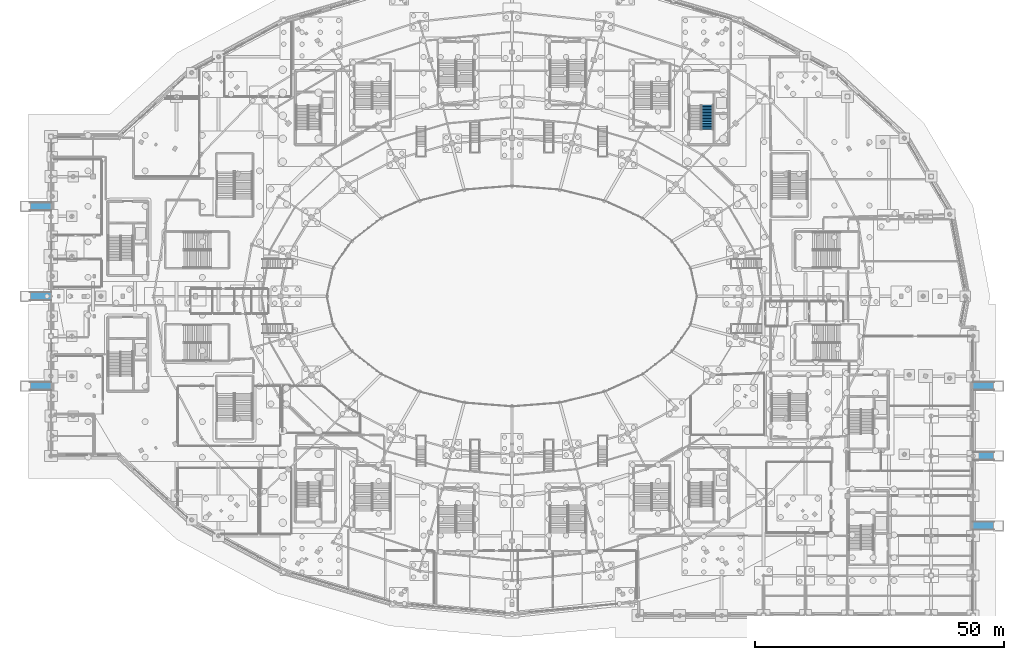
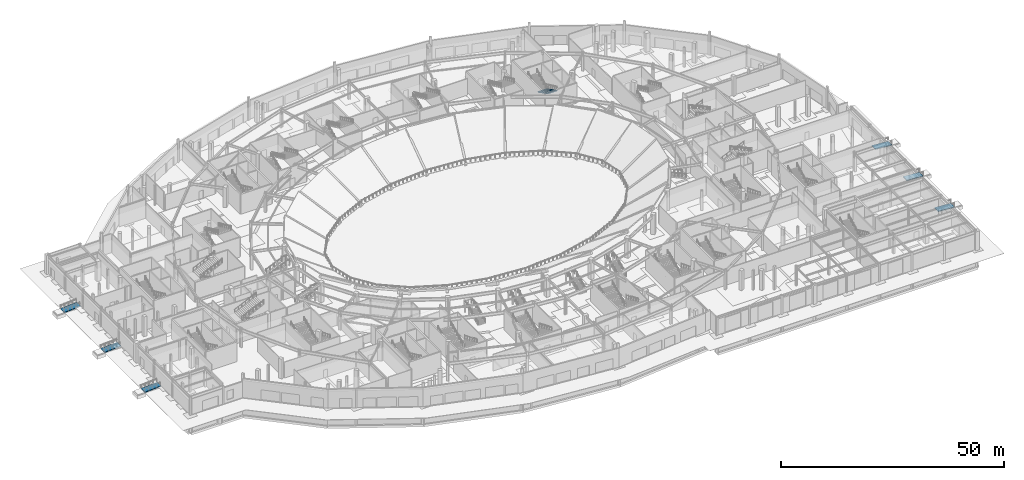
# One storey, part 68 of 93: 6 ramp flights, 1 stair flight, 7 elements without a shape of their own.
"""IFC4 building model written with IfcOpenShell, lengths in metres."""

from ifc_helpers import new_model, si_unit, direction, frame, origin, place, context, subcontext, project, spatial, polyline, outline, extrude, material, layer, layer_set, type_object, element, aggregate, save


model = new_model("IFC4")

# Units and contexts
model_context = context("Model", 3, precision=1e-05, world=origin(), true_north=direction((0.0, 1.0)))
body_context = subcontext(model_context, "Body", "Model", "MODEL_VIEW")
ifc_project = project(units=[si_unit("LENGTHUNIT", "METRE"), si_unit("AREAUNIT", "SQUARE_METRE"), si_unit("VOLUMEUNIT", "CUBIC_METRE"), si_unit("PLANEANGLEUNIT", "RADIAN"), si_unit("MASSUNIT", "GRAM", prefix="KILO")], contexts=[model_context])

# Site, building, storey
site_placement = place(None, origin())
site = spatial("IfcSite", under=ifc_project, at=site_placement, CompositionType="ELEMENT")
building_placement = place(site_placement, origin())
building = spatial("IfcBuilding", under=site, at=building_placement, Name="Kalgoora Escarpment Arena", CompositionType="ELEMENT")
storey_placement = place(building_placement, origin())
storey = spatial("IfcBuildingStorey", under=building, at=storey_placement, Name="L00", CompositionType="ELEMENT", Elevation=0.0)

# Stair, stair flight
ifc_material_1 = material(Name="Concrete N40 (fc' 40 MPa)", Category="concrete")
stair_type = type_object("IfcStairType", Name="STR-EXIT-4", PredefinedType="HALF_TURN_STAIR", material=ifc_material_1)
stair_placement = place(storey_placement, origin())
stair = element("IfcStair", 1, at=stair_placement, inside=storey, type_object=stair_type, Name="Fire-isolated exit stair ST04 (L00)", PredefinedType="HALF_TURN_STAIR")
ifc_material_2 = material(Name="Concrete N40 (fc' 40 MPa)", Category="concrete")
stair_flight_type = type_object("IfcStairFlightType", Name="FLT-EXIT-4", PredefinedType="STRAIGHT", material=ifc_material_2)
stair_flight_placement = place(storey_placement, frame((131.552490234375, 102.330078125, 0.0), z_axis=(0.0, 0.0, 1.0), x_axis=(0.0, -1.0, 0.0)))
stair_flight = element("IfcStairFlight", 2, at=stair_flight_placement, type_object=stair_flight_type, Name="ST04 L00 lower flight", NumberOfRisers=17, NumberOfTreads=16, PredefinedType="STRAIGHT", RiserHeight=0.158824, TreadLength=0.305, context=body_context, shape_type="SweptSolid", body=[
    extrude(outline(polyline([(0.0, 0.0), (0.0, 0.158935546875), (0.304931640625, 0.158935546875), (0.304931640625, 0.317626953125), (0.610107421875, 0.317626953125), (0.610107421875, 0.4765625), (0.9150390625, 0.4765625), (0.9150390625, 0.63525390625), (1.219970703125, 0.63525390625), (1.219970703125, 0.794189453125), (1.52490234375, 0.794189453125), (1.52490234375, 0.952880859375), (1.830078125, 0.952880859375), (1.830078125, 1.11181640625), (2.135009765625, 1.11181640625), (2.135009765625, 1.2705078125), (2.43994140625, 1.2705078125), (2.43994140625, 1.429443359375), (2.7451171875, 1.429443359375), (2.7451171875, 1.588134765625), (3.050048828125, 1.588134765625), (3.050048828125, 1.7470703125), (3.35498046875, 1.7470703125), (3.35498046875, 1.906005859375), (3.659912109375, 1.906005859375), (3.659912109375, 2.064697265625), (3.965087890625, 2.064697265625), (3.965087890625, 2.2236328125), (4.27001953125, 2.2236328125), (4.27001953125, 2.38232421875), (4.574951171875, 2.38232421875), (4.574951171875, 2.541259765625), (4.8798828125, 2.541259765625), (4.8798828125, 2.699951171875), (4.8798828125, 2.349609375), (0.367919921875, 0.0), (0.0, 0.0)])), frame((0.0, 1.197509765625, 0.0), z_axis=(0.0, -1.0, 0.0), x_axis=(1.0, 0.0, 0.0)), (0.0, 0.0, 1.0), 2.39501953125),
])
aggregate(stair, [stair_flight])

# Ramp, ramp flight
ifc_material_3 = material(Name="Concrete N40 (fc' 40 MPa)", Category="concrete")
ramp_type = type_object("IfcRampType", Name="RMP-ACC-1700", PredefinedType="STRAIGHT_RUN_RAMP", material=ifc_material_3)
ramp_1_placement = place(storey_placement, origin())
ramp_1 = element("IfcRamp", 3, at=ramp_1_placement, inside=storey, type_object=ramp_type, Name="AS 1428.1 1:14 accessible approach ramp RMP-01", PredefinedType="STRAIGHT_RUN_RAMP")
ifc_material_4 = material(Name="Concrete N40 (fc' 40 MPa)", Category="concrete")
ifc_layer = layer(ifc_material_4, 0.219970703125)
ifc_layer_set = layer_set([ifc_layer], Name="RFL-ACC-1700")
ramp_flight_type = type_object("IfcRampFlightType", Name="RFL-ACC-1700", PredefinedType="STRAIGHT", material=ifc_layer_set)
ramp_flight_1_placement = place(storey_placement, frame((-4.199951171875, 45.14990234375, -0.300048828125), z_axis=(-0.070589863893, 0.0, 0.997505424103), x_axis=(0.997505424103, 0.0, 0.070589863893)))
ramp_flight_1 = element("IfcRampFlight", 4, at=ramp_flight_1_placement, type_object=ramp_flight_type, Name="Accessible ramp flight RMP-01", PredefinedType="STRAIGHT", context=body_context, shape_type="SweptSolid", body=[
    extrude(outline(polyline([(0.0, 0.0), (4.250593662872817, 0.0), (4.250593662872817, 1.7001953125), (0.0, 1.7001953125), (0.0, 0.0)])), origin(), (0.0, 0.0, -1.0), 0.199951171875),
])
aggregate(ramp_1, [ramp_flight_1])

ramp_2_placement = place(storey_placement, origin())
ramp_2 = element("IfcRamp", 5, at=ramp_2_placement, inside=storey, type_object=ramp_type, Name="AS 1428.1 1:14 accessible approach ramp RMP-02", PredefinedType="STRAIGHT_RUN_RAMP")
ramp_flight_2_placement = place(storey_placement, frame((-4.199951171875, 63.14990234375, -0.300048828125), z_axis=(-0.070589863893, 0.0, 0.997505424103), x_axis=(0.997505424103, 0.0, 0.070589863893)))
ramp_flight_2 = element("IfcRampFlight", 6, at=ramp_flight_2_placement, type_object=ramp_flight_type, Name="Accessible ramp flight RMP-02", PredefinedType="STRAIGHT", context=body_context, shape_type="SweptSolid", body=[
    extrude(outline(polyline([(0.0, 0.0), (4.250593662872817, 0.0), (4.250593662872817, 1.7001953125), (0.0, 1.7001953125), (0.0, 0.0)])), origin(), (0.0, 0.0, -1.0), 0.199951171875),
])
aggregate(ramp_2, [ramp_flight_2])

ramp_3_placement = place(storey_placement, origin())
ramp_3 = element("IfcRamp", 7, at=ramp_3_placement, inside=storey, type_object=ramp_type, Name="AS 1428.1 1:14 accessible approach ramp RMP-03", PredefinedType="STRAIGHT_RUN_RAMP")
ramp_flight_3_placement = place(storey_placement, frame((-4.199951171875, 81.14990234375, -0.300048828125), z_axis=(-0.070589863893, 0.0, 0.997505424103), x_axis=(0.997505424103, 0.0, 0.070589863893)))
ramp_flight_3 = element("IfcRampFlight", 8, at=ramp_flight_3_placement, type_object=ramp_flight_type, Name="Accessible ramp flight RMP-03", PredefinedType="STRAIGHT", context=body_context, shape_type="SweptSolid", body=[
    extrude(outline(polyline([(0.0, 0.0), (4.250593662872817, 0.0), (4.250593662872817, 1.7001953125), (0.0, 1.7001953125), (0.0, 0.0)])), origin(), (0.0, 0.0, -1.0), 0.199951171875),
])
aggregate(ramp_3, [ramp_flight_3])

ramp_4_placement = place(storey_placement, origin())
ramp_4 = element("IfcRamp", 9, at=ramp_4_placement, inside=storey, type_object=ramp_type, Name="AS 1428.1 1:14 accessible approach ramp RMP-04", PredefinedType="STRAIGHT_RUN_RAMP")
ramp_flight_4_placement = place(storey_placement, frame((184.760009765625, 17.14990234375, 0.0), z_axis=(0.070589863893, 0.0, 0.997505424103), x_axis=(0.997505424103, 0.0, -0.070589863893)))
ramp_flight_4 = element("IfcRampFlight", 10, at=ramp_flight_4_placement, type_object=ramp_flight_type, Name="Accessible ramp flight RMP-04", PredefinedType="STRAIGHT", context=body_context, shape_type="SweptSolid", body=[
    extrude(outline(polyline([(0.0, 0.0), (4.250593662872817, 0.0), (4.250593662872817, 1.7001953125), (0.0, 1.7001953125), (0.0, 0.0)])), origin(), (0.0, 0.0, -1.0), 0.199951171875),
])
aggregate(ramp_4, [ramp_flight_4])

ramp_5_placement = place(storey_placement, origin())
ramp_5 = element("IfcRamp", 11, at=ramp_5_placement, inside=storey, type_object=ramp_type, Name="AS 1428.1 1:14 accessible approach ramp RMP-05", PredefinedType="STRAIGHT_RUN_RAMP")
ramp_flight_5_placement = place(storey_placement, frame((184.760009765625, 31.14990234375, 0.0), z_axis=(0.070589863893, 0.0, 0.997505424103), x_axis=(0.997505424103, 0.0, -0.070589863893)))
ramp_flight_5 = element("IfcRampFlight", 12, at=ramp_flight_5_placement, type_object=ramp_flight_type, Name="Accessible ramp flight RMP-05", PredefinedType="STRAIGHT", context=body_context, shape_type="SweptSolid", body=[
    extrude(outline(polyline([(0.0, 0.0), (4.250593662872817, 0.0), (4.250593662872817, 1.7001953125), (0.0, 1.7001953125), (0.0, 0.0)])), origin(), (0.0, 0.0, -1.0), 0.199951171875),
])
aggregate(ramp_5, [ramp_flight_5])

ramp_6_placement = place(storey_placement, origin())
ramp_6 = element("IfcRamp", 13, at=ramp_6_placement, inside=storey, type_object=ramp_type, Name="AS 1428.1 1:14 accessible approach ramp RMP-06", PredefinedType="STRAIGHT_RUN_RAMP")
ramp_flight_6_placement = place(storey_placement, frame((184.760009765625, 45.14990234375, 0.0), z_axis=(0.070589863893, 0.0, 0.997505424103), x_axis=(0.997505424103, 0.0, -0.070589863893)))
ramp_flight_6 = element("IfcRampFlight", 14, at=ramp_flight_6_placement, type_object=ramp_flight_type, Name="Accessible ramp flight RMP-06", PredefinedType="STRAIGHT", context=body_context, shape_type="SweptSolid", body=[
    extrude(outline(polyline([(0.0, 0.0), (4.250593662872817, 0.0), (4.250593662872817, 1.7001953125), (0.0, 1.7001953125), (0.0, 0.0)])), origin(), (0.0, 0.0, -1.0), 0.199951171875),
])
aggregate(ramp_6, [ramp_flight_6])

save(model, "model.ifc")
